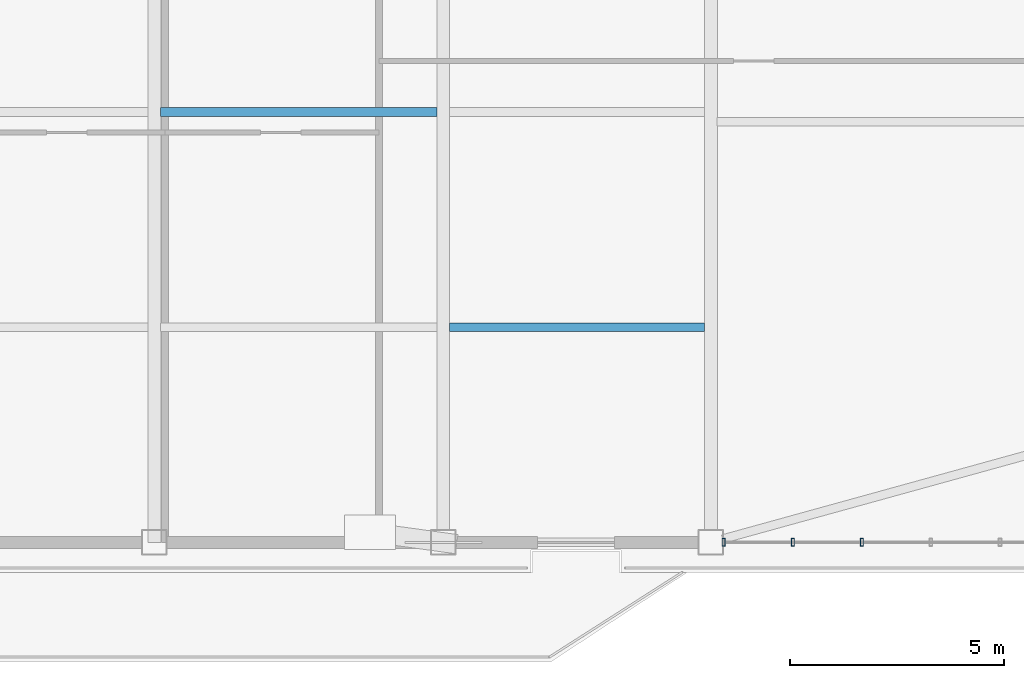
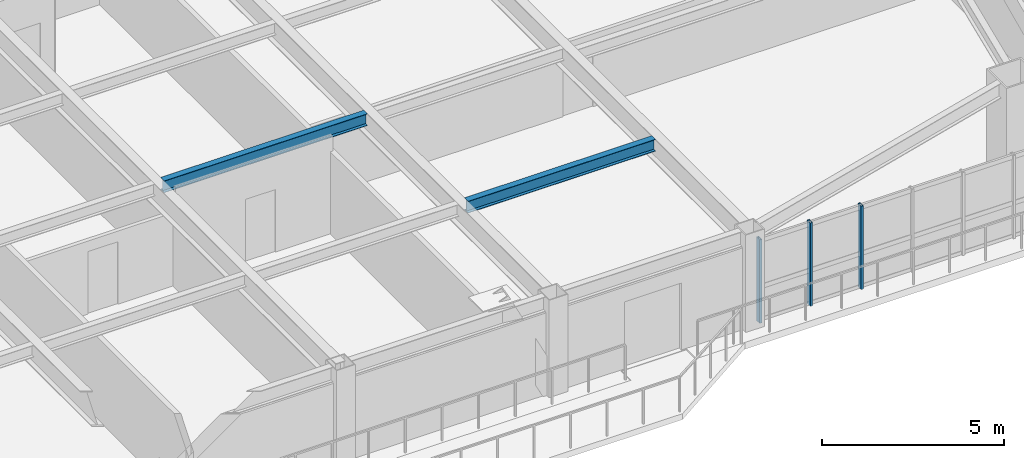
# One storey, part 4 of 17: 3 members, 2 beams, 1 element without a shape of its own.
"""IFC4 building model written with IfcOpenShell, lengths in metres."""

from ifc_helpers import new_model, si_unit, direction, frame, origin, origin_2d, place, context, subcontext, project, spatial, hollow_rectangle, i_section, extrude, source, transform, mapped, material, layer, layer_set, material_profile, profile_set, type_object, element, aggregate, save


model = new_model("IFC4")

# Units and contexts
model_context = context("Model", 3, precision=1e-05, world=origin(), true_north=direction((0.0, 1.0)))
body_context = subcontext(model_context, "Body", "Model", "MODEL_VIEW")
ifc_project = project(units=[si_unit("LENGTHUNIT", "METRE"), si_unit("AREAUNIT", "SQUARE_METRE"), si_unit("VOLUMEUNIT", "CUBIC_METRE"), si_unit("PLANEANGLEUNIT", "RADIAN"), si_unit("MASSUNIT", "GRAM", prefix="KILO")], contexts=[model_context])

# Site, building, storey
site_placement = place(None, origin())
site = spatial("IfcSite", under=ifc_project, at=site_placement, CompositionType="ELEMENT")
building_placement = place(site_placement, origin())
building = spatial("IfcBuilding", under=site, at=building_placement, Name="Giltprow Tower", CompositionType="ELEMENT")
storey_placement = place(building_placement, frame((0.0, 0.0, 213.199951171875)))
storey = spatial("IfcBuildingStorey", under=building, at=storey_placement, Name="L54", CompositionType="ELEMENT", Elevation=213.199951171875)

# Beams
ifc_material_1 = material(Name="Structural steel Q355B", Category="steel")
ifc_material_profile_1 = material_profile(ifc_material_1, i_section(OverallWidth=0.199951171875, OverallDepth=0.39990234375, WebThickness=0.008056640625, FlangeThickness=0.012939453125, at=origin_2d()), Name="HN 400x200x8x13")
ifc_profile_set_1 = profile_set([ifc_material_profile_1], Name="Structural steel Q355B")
beam_type = type_object("IfcBeamType", Name="BM-JOIST-HN400", PredefinedType="JOIST", material=ifc_profile_set_1)
shared_shape_1 = source(origin(), body_context, "Body", "SweptSolid", [
    extrude(i_section(OverallWidth=0.199951171875, OverallDepth=0.39990234375, WebThickness=0.008056640625, FlangeThickness=0.012939453125, at=origin_2d()), origin(), (0.0, 0.0, 1.0), 6.4599609375),
])
beam_1_placement = place(storey_placement, frame((37.695068359375, 22.37109375, 3.070068359375), z_axis=(1.0, 0.0, 0.0), x_axis=(0.0, 1.0, 0.0)))
element("IfcBeam", 1, at=beam_1_placement, inside=storey, type_object=beam_type, Name="L54 Composite Floor Joist 2-3", PredefinedType="JOIST", context=body_context, shape_type="MappedRepresentation", body=[
    mapped(shared_shape_1, transform((0.0, 0.0, 0.0), x_axis=(1.0, 0.0, 0.0), y_axis=(0.0, 1.0, 0.0), z_axis=(0.0, 0.0, 1.0), scale=1.0)),
])
shared_shape_2 = source(origin(), body_context, "Body", "SweptSolid", [
    extrude(i_section(OverallWidth=0.199951171875, OverallDepth=0.39990234375, WebThickness=0.008056640625, FlangeThickness=0.012939453125, at=origin_2d()), origin(), (0.0, 0.0, 1.0), 5.9599609375),
])
beam_2_placement = place(storey_placement, frame((44.445068359375, 17.343994140625, 3.070068359375), z_axis=(1.0, 0.0, 0.0), x_axis=(0.0, 1.0, 0.0)))
element("IfcBeam", 2, at=beam_2_placement, inside=storey, type_object=beam_type, Name="L54 Composite Floor Joist 1-4", PredefinedType="JOIST", context=body_context, shape_type="MappedRepresentation", body=[
    mapped(shared_shape_2, transform((0.0, 0.0, 0.0), x_axis=(1.0, 0.0, 0.0), y_axis=(0.0, 1.0, 0.0), z_axis=(0.0, 0.0, 1.0), scale=1.0)),
])

# Curtain wall, members
ifc_material_2 = material(Name="Anodized bronze", Category="metal")
ifc_layer = layer(ifc_material_2, 0.179931640625, Name="Anodized bronze")
ifc_layer_set = layer_set([ifc_layer], Name="Anodized bronze")
curtain_wall_type = type_object("IfcCurtainWallType", Name="CW-HTL-BRONZE", PredefinedType="NOTDEFINED", material=ifc_layer_set)
curtain_wall_placement = place(storey_placement, origin())
curtain_wall = element("IfcCurtainWall", 3, at=curtain_wall_placement, inside=storey, type_object=curtain_wall_type, Name="L54 South Recessed Curtain Wall 6", PredefinedType="NOTDEFINED")
ifc_material_profile_2 = material_profile(ifc_material_2, hollow_rectangle(XDim=0.074951171875, YDim=0.179931640625, WallThickness=0.008056640625, at=origin_2d()), Name="RHS 180x75x8")
ifc_profile_set_2 = profile_set([ifc_material_profile_2], Name="Anodized bronze")
member_type = type_object("IfcMemberType", Name="CW-MULLION-180x75", PredefinedType="MULLION", material=ifc_profile_set_2)
shared_shape_3 = source(origin(), body_context, "Body", "SweptSolid", [
    extrude(hollow_rectangle(XDim=0.074951171875, YDim=0.179931640625, WallThickness=0.008056640625, at=origin_2d()), origin(), (0.0, 0.0, 1.0), 2.80517578125),
])
member_1_placement = place(storey_placement, frame((50.85009765625, 12.318115234375, -0.02001953125), z_axis=(0.0, 0.0, 1.0), x_axis=(1.0, 0.0, 0.0)))
member_1 = element("IfcMember", 4, at=member_1_placement, type_object=member_type, Name="L54 South Recessed Curtain Wall 6 Mullion 1", PredefinedType="MULLION", context=body_context, shape_type="MappedRepresentation", body=[
    mapped(shared_shape_3, transform((0.0, 0.0, 0.0), x_axis=(1.0, 0.0, 0.0), y_axis=(0.0, 1.0, 0.0), z_axis=(0.0, 0.0, 1.0), scale=1.0)),
])
member_2_placement = place(storey_placement, frame((52.462890625, 12.318115234375, -0.02001953125), z_axis=(0.0, 0.0, 1.0), x_axis=(1.0, 0.0, 0.0)))
member_2 = element("IfcMember", 5, at=member_2_placement, type_object=member_type, Name="L54 South Recessed Curtain Wall 6 Mullion 2", PredefinedType="MULLION", context=body_context, shape_type="MappedRepresentation", body=[
    mapped(shared_shape_3, transform((0.0, 0.0, 0.0), x_axis=(1.0, 0.0, 0.0), y_axis=(0.0, 1.0, 0.0), z_axis=(0.0, 0.0, 1.0), scale=1.0)),
])
member_3_placement = place(storey_placement, frame((54.075927734375, 12.318115234375, -0.02001953125), z_axis=(0.0, 0.0, 1.0), x_axis=(1.0, 0.0, 0.0)))
member_3 = element("IfcMember", 6, at=member_3_placement, type_object=member_type, Name="L54 South Recessed Curtain Wall 6 Mullion 3", PredefinedType="MULLION", context=body_context, shape_type="MappedRepresentation", body=[
    mapped(shared_shape_3, transform((0.0, 0.0, 0.0), x_axis=(1.0, 0.0, 0.0), y_axis=(0.0, 1.0, 0.0), z_axis=(0.0, 0.0, 1.0), scale=1.0)),
])
aggregate(curtain_wall, [member_1, member_2, member_3])

save(model, "model.ifc")
